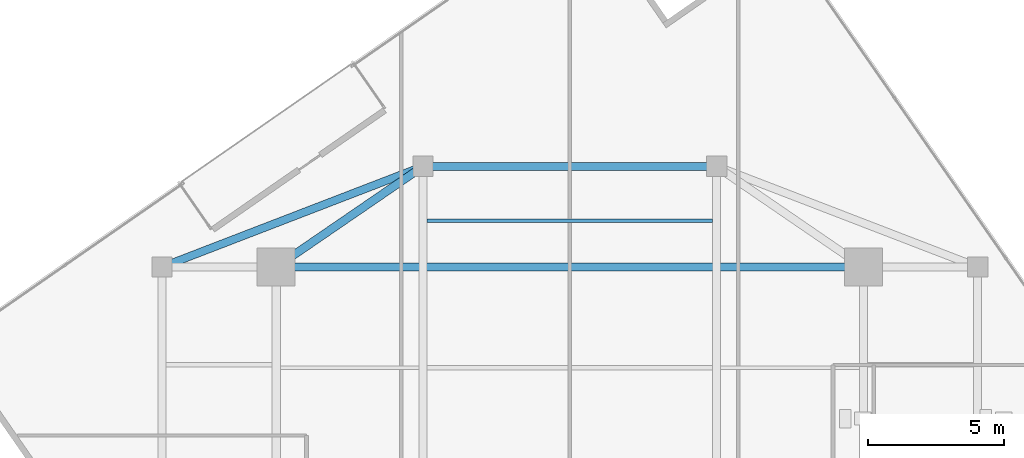
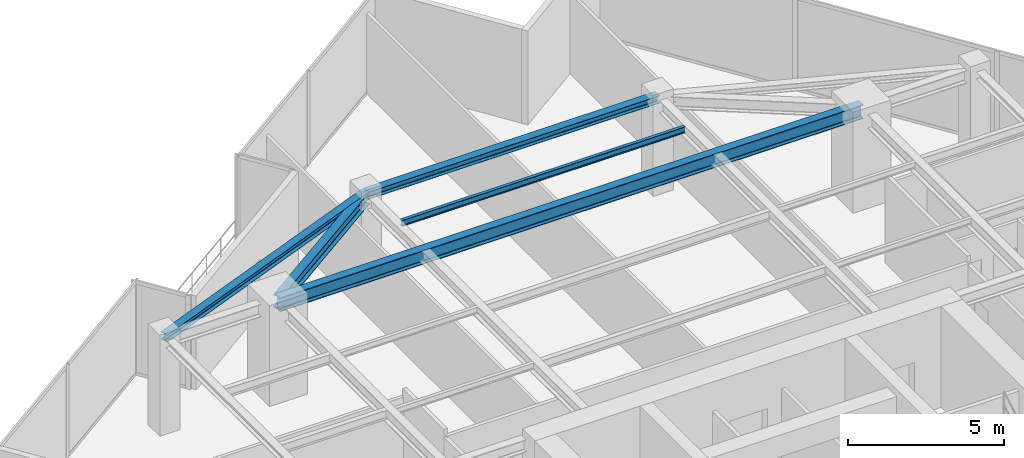
# One storey, part 13 of 21: 5 beams.
"""IFC4 building model written with IfcOpenShell, lengths in metres."""

from ifc_helpers import new_model, si_unit, direction, frame, origin, origin_2d, place, context, subcontext, project, spatial, i_section, extrude, source, transform, mapped, material, material_profile, profile_set, type_object, type_shapes, element, save


model = new_model("IFC4")

# Units and contexts
model_context = context("Model", 3, precision=1e-05, world=origin(), true_north=direction((0.0, 1.0)))
body_context = subcontext(model_context, "Body", "Model", "MODEL_VIEW")
ifc_project = project(units=[si_unit("LENGTHUNIT", "METRE"), si_unit("AREAUNIT", "SQUARE_METRE"), si_unit("VOLUMEUNIT", "CUBIC_METRE"), si_unit("PLANEANGLEUNIT", "RADIAN"), si_unit("MASSUNIT", "GRAM", prefix="KILO")], contexts=[model_context])

# Site, building, storey
site_placement = place(None, origin())
site = spatial("IfcSite", under=ifc_project, at=site_placement, CompositionType="ELEMENT")
building_placement = place(site_placement, origin())
building = spatial("IfcBuilding", under=site, at=building_placement, Name="Krantzveldt Concourse Tower", CompositionType="ELEMENT")
storey_placement = place(building_placement, frame((0.0, 0.0, 271.35009765625)))
storey = spatial("IfcBuildingStorey", under=building, at=storey_placement, Name="L66", CompositionType="ELEMENT", Elevation=271.35009765625)

# Beams
ifc_material = material(Name="Steel S355JR", Category="steel")
ifc_material_profile_1 = material_profile(ifc_material, i_section(OverallWidth=0.300048828125, OverallDepth=0.489990234375, WebThickness=0.011962890625, FlangeThickness=0.02294921875, FilletRadius=0.027099609375, at=origin_2d()), Name="Steel S355JR", Category="steel")
ifc_profile_set_1 = profile_set([ifc_material_profile_1], Name="Steel S355JR - HEA 500")
beam_type_1 = type_object("IfcBeamType", Name="BM-B-HEA500", PredefinedType="BEAM", material=ifc_profile_set_1)
shared_shape_1 = source(origin(), body_context, "Body", "SweptSolid", [
    extrude(i_section(OverallWidth=0.300048828125, OverallDepth=0.489990234375, WebThickness=0.011962890625, FlangeThickness=0.02294921875, FilletRadius=0.027099609375, at=origin_2d()), origin(), (0.0, 0.0, 1.0), 6.546142578125),
])
type_shapes(beam_type_1, [shared_shape_1])
beam_1_placement = place(storey_placement, frame((25.199951171875, 37.5, 3.4248046875), z_axis=(0.824942999484, 0.565215930068, 0.0), x_axis=(-0.565215930068, 0.824942999484, 0.0)))
element("IfcBeam", 1, at=beam_1_placement, inside=storey, type_object=beam_type_1, Name="L66 Tower Girder BR-RL4", PredefinedType="BEAM", context=body_context, shape_type="MappedRepresentation", body=[
    mapped(shared_shape_1, transform((0.0, 0.0, 0.0), x_axis=(1.0, 0.0, 0.0), y_axis=(0.0, 1.0, 0.0), z_axis=(0.0, 0.0, 1.0), scale=1.0)),
])
ifc_material_profile_2 = material_profile(ifc_material, i_section(OverallWidth=0.300048828125, OverallDepth=0.5400390625, WebThickness=0.012451171875, FlangeThickness=0.02392578125, FilletRadius=0.027099609375, at=origin_2d()), Name="Steel S355JR", Category="steel")
ifc_profile_set_2 = profile_set([ifc_material_profile_2], Name="Steel S355JR - HEA 550")
beam_type_2 = type_object("IfcBeamType", Name="BM-B-HEA550", PredefinedType="BEAM", material=ifc_profile_set_2)
shared_shape_2 = source(origin(), body_context, "Body", "SweptSolid", [
    extrude(i_section(OverallWidth=0.300048828125, OverallDepth=0.5400390625, WebThickness=0.012451171875, FlangeThickness=0.02392578125, FilletRadius=0.027099609375, at=origin_2d()), origin(), (0.0, 0.0, 1.0), 21.60009765625),
])
type_shapes(beam_type_2, [shared_shape_2])
beam_2_placement = place(storey_placement, frame((25.199951171875, 37.5, 3.39990234375), z_axis=(1.0, 0.0, 0.0), x_axis=(0.0, 1.0, 0.0)))
element("IfcBeam", 2, at=beam_2_placement, inside=storey, type_object=beam_type_2, Name="L66 Tower Girder BG-MN", PredefinedType="BEAM", context=body_context, shape_type="MappedRepresentation", body=[
    mapped(shared_shape_2, transform((0.0, 0.0, 0.0), x_axis=(1.0, 0.0, 0.0), y_axis=(0.0, 1.0, 0.0), z_axis=(0.0, 0.0, 1.0), scale=1.0)),
])
ifc_material_profile_3 = material_profile(ifc_material, i_section(OverallWidth=0.2900390625, OverallDepth=0.2900390625, WebThickness=0.008544921875, FlangeThickness=0.013916015625, FilletRadius=0.027099609375, at=origin_2d()), Name="Steel S355JR", Category="steel")
ifc_profile_set_3 = profile_set([ifc_material_profile_3], Name="Steel S355JR - HEA 300")
beam_type_3 = type_object("IfcBeamType", Name="BM-SP-HEA300", PredefinedType="SPANDREL", material=ifc_profile_set_3)
shared_shape_3 = source(origin(), body_context, "Body", "SweptSolid", [
    extrude(i_section(OverallWidth=0.2900390625, OverallDepth=0.2900390625, WebThickness=0.008544921875, FlangeThickness=0.013916015625, FilletRadius=0.027099609375, at=origin_2d()), origin(), (0.0, 0.0, 1.0), 10.288330078125),
])
beam_3_placement = place(storey_placement, frame((21.0, 37.5, 3.52490234375), z_axis=(0.933097690408, 0.359622997257, 0.0), x_axis=(-0.359622997257, 0.933097690408, 0.0)))
element("IfcBeam", 3, at=beam_3_placement, inside=storey, type_object=beam_type_3, Name="L66 Tower Girder SP-R03", PredefinedType="SPANDREL", context=body_context, shape_type="MappedRepresentation", body=[
    mapped(shared_shape_3, transform((0.0, 0.0, 0.0), x_axis=(1.0, 0.0, 0.0), y_axis=(0.0, 1.0, 0.0), z_axis=(0.0, 0.0, 1.0), scale=1.0)),
])
shared_shape_4 = source(origin(), body_context, "Body", "SweptSolid", [
    extrude(i_section(OverallWidth=0.2900390625, OverallDepth=0.2900390625, WebThickness=0.008544921875, FlangeThickness=0.013916015625, FilletRadius=0.027099609375, at=origin_2d()), origin(), (0.0, 0.0, 1.0), 10.7998046875),
])
type_shapes(beam_type_3, [shared_shape_3, shared_shape_4])
beam_4_placement = place(storey_placement, frame((30.60009765625, 41.199951171875, 3.52490234375), z_axis=(1.0, 0.0, 0.0), x_axis=(0.0, 1.0, 0.0)))
element("IfcBeam", 4, at=beam_4_placement, inside=storey, type_object=beam_type_3, Name="L66 Tower Girder SP-R04", PredefinedType="SPANDREL", context=body_context, shape_type="MappedRepresentation", body=[
    mapped(shared_shape_4, transform((0.0, 0.0, 0.0), x_axis=(1.0, 0.0, 0.0), y_axis=(0.0, 1.0, 0.0), z_axis=(0.0, 0.0, 1.0), scale=1.0)),
])
ifc_material_profile_4 = material_profile(ifc_material, i_section(OverallWidth=0.1201171875, OverallDepth=0.239990234375, WebThickness=0.006103515625, FlangeThickness=0.009765625, FilletRadius=0.014892578125, at=origin_2d()), Name="Steel S355JR", Category="steel")
ifc_profile_set_4 = profile_set([ifc_material_profile_4], Name="Steel S355JR - IPE 240")
beam_type_4 = type_object("IfcBeamType", Name="BM-LN-IPE240", PredefinedType="LINTEL", material=ifc_profile_set_4)
shared_shape_5 = source(origin(), body_context, "Body", "SweptSolid", [
    extrude(i_section(OverallWidth=0.1201171875, OverallDepth=0.239990234375, WebThickness=0.006103515625, FlangeThickness=0.009765625, FilletRadius=0.014892578125, at=origin_2d()), origin(), (0.0, 0.0, 1.0), 10.5),
])
type_shapes(beam_type_4, [shared_shape_5])
beam_5_placement = place(storey_placement, frame((30.75, 39.199951171875, 3.5498046875), z_axis=(1.0, 0.0, 0.0), x_axis=(0.0, 1.0, 0.0)))
element("IfcBeam", 5, at=beam_5_placement, inside=storey, type_object=beam_type_4, Name="L66 Secondary Floor Joist JN-C3", PredefinedType="LINTEL", context=body_context, shape_type="MappedRepresentation", body=[
    mapped(shared_shape_5, transform((0.0, 0.0, 0.0), x_axis=(1.0, 0.0, 0.0), y_axis=(0.0, 1.0, 0.0), z_axis=(0.0, 0.0, 1.0), scale=1.0)),
])

save(model, "model.ifc")
